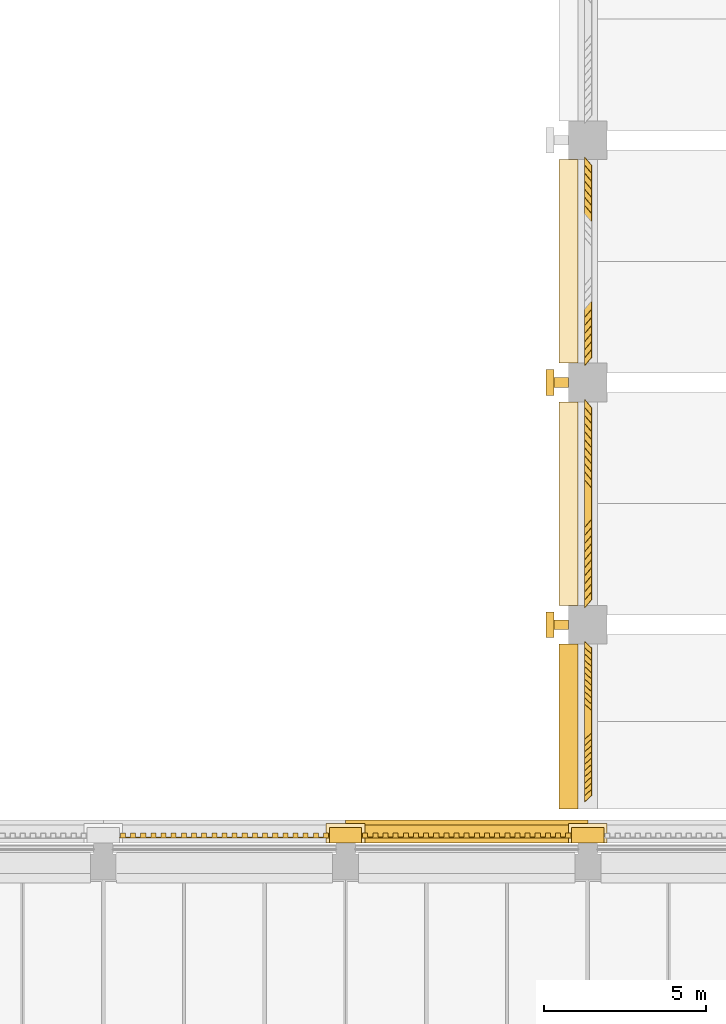
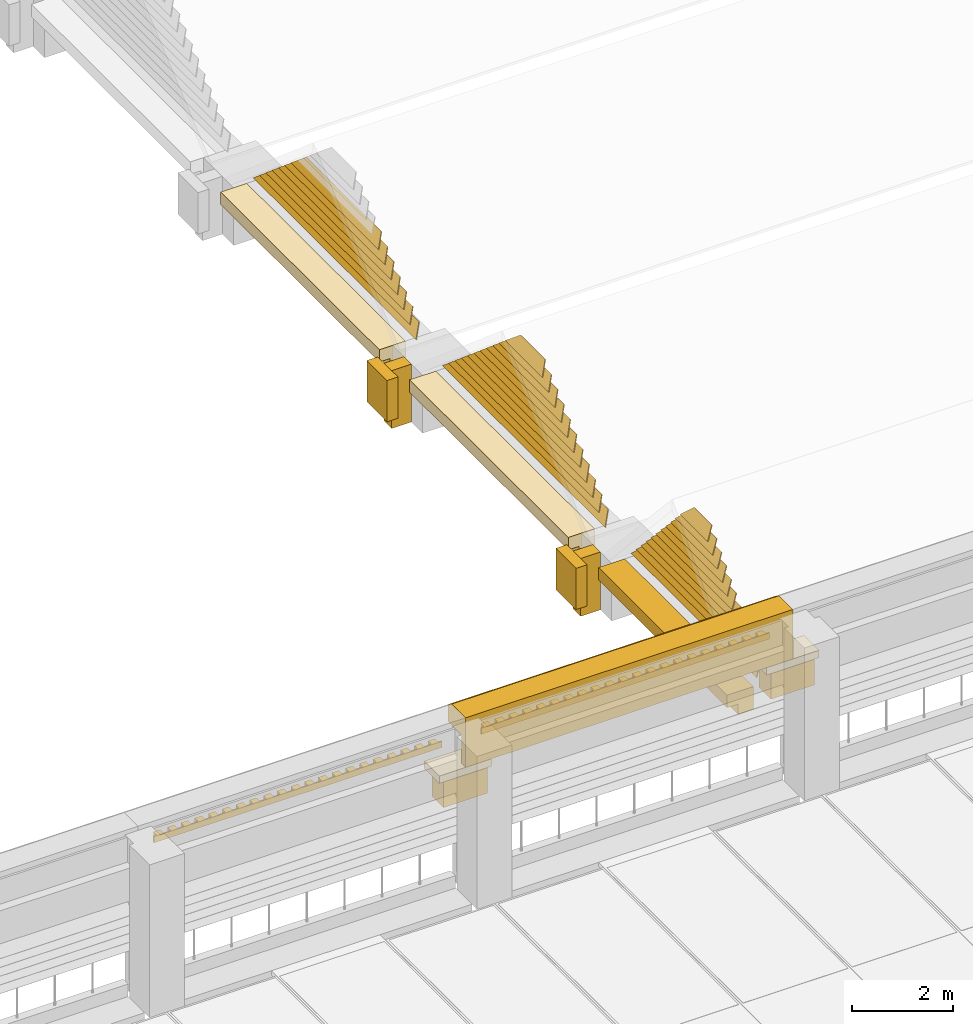
# One storey, part 50 of 71: 29 shading devices, 14 coverings.
"""IFC4 building model written with IfcOpenShell, lengths in metres."""

from ifc_helpers import new_model, si_unit, direction, frame, origin, place, context, subcontext, project, spatial, polyline, outline, extrude, material, layer, layer_set, type_object, element, save


model = new_model("IFC4")

# Units and contexts
model_context = context("Model", 3, precision=1e-05, world=origin(), true_north=direction((0.0, 1.0)))
body_context = subcontext(model_context, "Body", "Model", "MODEL_VIEW")
ifc_project = project(units=[si_unit("LENGTHUNIT", "METRE"), si_unit("AREAUNIT", "SQUARE_METRE"), si_unit("VOLUMEUNIT", "CUBIC_METRE"), si_unit("PLANEANGLEUNIT", "RADIAN"), si_unit("MASSUNIT", "GRAM", prefix="KILO")], contexts=[model_context])

# Site, building, storey
site_placement = place(None, origin())
site = spatial("IfcSite", under=ifc_project, at=site_placement, CompositionType="ELEMENT")
building_placement = place(site_placement, origin())
building = spatial("IfcBuilding", under=site, at=building_placement, Name="Cour d'Honneur Mobility Palace", CompositionType="ELEMENT")
storey_placement = place(building_placement, frame((0.0, 0.0, 15.60009765625)))
storey = spatial("IfcBuildingStorey", under=building, at=storey_placement, Name="L04", CompositionType="ELEMENT", Elevation=15.60009765625)

# Coverings
ifc_material_1 = material(Name="Cast limestone", Category="masonry")
ifc_layer_1 = layer(ifc_material_1, 0.14990234375)
ifc_layer_set_1 = layer_set([ifc_layer_1], Name="Cast limestone")
covering_type_1 = type_object("IfcCoveringType", Name="Dentil course", PredefinedType="CLADDING", material=ifc_layer_set_1)
covering_1_placement = place(storey_placement, frame((0.0, 0.0, 3.14990234375)))
element("IfcCovering", 1, at=covering_1_placement, inside=storey, type_object=covering_type_1, Name="Dentil course DC-106", PredefinedType="CLADDING", context=body_context, shape_type="SweptSolid", body=[
    extrude(outline(polyline([(61.949951171875, 63.300048828125), (55.35009765625, 63.300048828125), (55.35009765625, 63.330078125), (55.35009765625, 63.330078125), (55.428466796875, 63.330078125), (55.428466796875, 63.449951171875), (55.585693359375, 63.449951171875), (55.585693359375, 63.330078125), (55.664306640625, 63.330078125), (55.664306640625, 63.330078125), (55.742919921875, 63.330078125), (55.742919921875, 63.449951171875), (55.89990234375, 63.449951171875), (55.89990234375, 63.330078125), (55.978515625, 63.330078125), (55.978515625, 63.330078125), (56.05712890625, 63.330078125), (56.05712890625, 63.449951171875), (56.21435546875, 63.449951171875), (56.21435546875, 63.330078125), (56.29296875, 63.330078125), (56.29296875, 63.330078125), (56.371337890625, 63.330078125), (56.371337890625, 63.449951171875), (56.528564453125, 63.449951171875), (56.528564453125, 63.330078125), (56.607177734375, 63.330078125), (56.607177734375, 63.330078125), (56.685791015625, 63.330078125), (56.685791015625, 63.449951171875), (56.8427734375, 63.449951171875), (56.8427734375, 63.330078125), (56.92138671875, 63.330078125), (56.92138671875, 63.330078125), (57.0, 63.330078125), (57.0, 63.449951171875), (57.1572265625, 63.449951171875), (57.1572265625, 63.330078125), (57.235595703125, 63.330078125), (57.235595703125, 63.330078125), (57.314208984375, 63.330078125), (57.314208984375, 63.449951171875), (57.471435546875, 63.449951171875), (57.471435546875, 63.330078125), (57.550048828125, 63.330078125), (57.550048828125, 63.330078125), (57.628662109375, 63.330078125), (57.628662109375, 63.449951171875), (57.78564453125, 63.449951171875), (57.78564453125, 63.330078125), (57.8642578125, 63.330078125), (57.8642578125, 63.330078125), (57.94287109375, 63.330078125), (57.94287109375, 63.449951171875), (58.10009765625, 63.449951171875), (58.10009765625, 63.330078125), (58.178466796875, 63.330078125), (58.178466796875, 63.330078125), (58.257080078125, 63.330078125), (58.257080078125, 63.449951171875), (58.414306640625, 63.449951171875), (58.414306640625, 63.330078125), (58.492919921875, 63.330078125), (58.492919921875, 63.330078125), (58.571533203125, 63.330078125), (58.571533203125, 63.449951171875), (58.728515625, 63.449951171875), (58.728515625, 63.330078125), (58.80712890625, 63.330078125), (58.80712890625, 63.330078125), (58.8857421875, 63.330078125), (58.8857421875, 63.449951171875), (59.04296875, 63.449951171875), (59.04296875, 63.330078125), (59.121337890625, 63.330078125), (59.121337890625, 63.330078125), (59.199951171875, 63.330078125), (59.199951171875, 63.449951171875), (59.357177734375, 63.449951171875), (59.357177734375, 63.330078125), (59.435791015625, 63.330078125), (59.435791015625, 63.330078125), (59.514404296875, 63.330078125), (59.514404296875, 63.449951171875), (59.67138671875, 63.449951171875), (59.67138671875, 63.330078125), (59.75, 63.330078125), (59.75, 63.330078125), (59.82861328125, 63.330078125), (59.82861328125, 63.449951171875), (59.985595703125, 63.449951171875), (59.985595703125, 63.330078125), (60.064208984375, 63.330078125), (60.064208984375, 63.330078125), (60.142822265625, 63.330078125), (60.142822265625, 63.449951171875), (60.300048828125, 63.449951171875), (60.300048828125, 63.330078125), (60.378662109375, 63.330078125), (60.378662109375, 63.330078125), (60.45703125, 63.330078125), (60.45703125, 63.449951171875), (60.6142578125, 63.449951171875), (60.6142578125, 63.330078125), (60.69287109375, 63.330078125), (60.69287109375, 63.330078125), (60.771484375, 63.330078125), (60.771484375, 63.449951171875), (60.928466796875, 63.449951171875), (60.928466796875, 63.330078125), (61.007080078125, 63.330078125), (61.007080078125, 63.330078125), (61.085693359375, 63.330078125), (61.085693359375, 63.449951171875), (61.242919921875, 63.449951171875), (61.242919921875, 63.330078125), (61.321533203125, 63.330078125), (61.321533203125, 63.330078125), (61.39990234375, 63.330078125), (61.39990234375, 63.449951171875), (61.55712890625, 63.449951171875), (61.55712890625, 63.330078125), (61.6357421875, 63.330078125), (61.6357421875, 63.330078125), (61.71435546875, 63.330078125), (61.71435546875, 63.449951171875), (61.871337890625, 63.449951171875), (61.871337890625, 63.330078125), (61.949951171875, 63.330078125), (61.949951171875, 63.300048828125)])), origin(), (0.0, 0.0, 1.0), 0.14990234375),
])
covering_2_placement = place(storey_placement, frame((0.0, 0.0, 3.14990234375)))
element("IfcCovering", 2, at=covering_2_placement, inside=storey, type_object=covering_type_1, Name="Dentil course DC-107", PredefinedType="CLADDING", context=body_context, shape_type="SweptSolid", body=[
    extrude(outline(polyline([(54.449951171875, 63.300048828125), (47.85009765625, 63.300048828125), (47.85009765625, 63.330078125), (47.85009765625, 63.330078125), (47.928466796875, 63.330078125), (47.928466796875, 63.449951171875), (48.085693359375, 63.449951171875), (48.085693359375, 63.330078125), (48.164306640625, 63.330078125), (48.164306640625, 63.330078125), (48.242919921875, 63.330078125), (48.242919921875, 63.449951171875), (48.39990234375, 63.449951171875), (48.39990234375, 63.330078125), (48.478515625, 63.330078125), (48.478515625, 63.330078125), (48.55712890625, 63.330078125), (48.55712890625, 63.449951171875), (48.71435546875, 63.449951171875), (48.71435546875, 63.330078125), (48.79296875, 63.330078125), (48.79296875, 63.330078125), (48.871337890625, 63.330078125), (48.871337890625, 63.449951171875), (49.028564453125, 63.449951171875), (49.028564453125, 63.330078125), (49.107177734375, 63.330078125), (49.107177734375, 63.330078125), (49.185791015625, 63.330078125), (49.185791015625, 63.449951171875), (49.3427734375, 63.449951171875), (49.3427734375, 63.330078125), (49.42138671875, 63.330078125), (49.42138671875, 63.330078125), (49.5, 63.330078125), (49.5, 63.449951171875), (49.6572265625, 63.449951171875), (49.6572265625, 63.330078125), (49.735595703125, 63.330078125), (49.735595703125, 63.330078125), (49.814208984375, 63.330078125), (49.814208984375, 63.449951171875), (49.971435546875, 63.449951171875), (49.971435546875, 63.330078125), (50.050048828125, 63.330078125), (50.050048828125, 63.330078125), (50.128662109375, 63.330078125), (50.128662109375, 63.449951171875), (50.28564453125, 63.449951171875), (50.28564453125, 63.330078125), (50.3642578125, 63.330078125), (50.3642578125, 63.330078125), (50.44287109375, 63.330078125), (50.44287109375, 63.449951171875), (50.60009765625, 63.449951171875), (50.60009765625, 63.330078125), (50.678466796875, 63.330078125), (50.678466796875, 63.330078125), (50.757080078125, 63.330078125), (50.757080078125, 63.449951171875), (50.914306640625, 63.449951171875), (50.914306640625, 63.330078125), (50.992919921875, 63.330078125), (50.992919921875, 63.330078125), (51.071533203125, 63.330078125), (51.071533203125, 63.449951171875), (51.228515625, 63.449951171875), (51.228515625, 63.330078125), (51.30712890625, 63.330078125), (51.30712890625, 63.330078125), (51.3857421875, 63.330078125), (51.3857421875, 63.449951171875), (51.54296875, 63.449951171875), (51.54296875, 63.330078125), (51.621337890625, 63.330078125), (51.621337890625, 63.330078125), (51.699951171875, 63.330078125), (51.699951171875, 63.449951171875), (51.857177734375, 63.449951171875), (51.857177734375, 63.330078125), (51.935791015625, 63.330078125), (51.935791015625, 63.330078125), (52.014404296875, 63.330078125), (52.014404296875, 63.449951171875), (52.17138671875, 63.449951171875), (52.17138671875, 63.330078125), (52.25, 63.330078125), (52.25, 63.330078125), (52.32861328125, 63.330078125), (52.32861328125, 63.449951171875), (52.485595703125, 63.449951171875), (52.485595703125, 63.330078125), (52.564208984375, 63.330078125), (52.564208984375, 63.330078125), (52.642822265625, 63.330078125), (52.642822265625, 63.449951171875), (52.800048828125, 63.449951171875), (52.800048828125, 63.330078125), (52.878662109375, 63.330078125), (52.878662109375, 63.330078125), (52.95703125, 63.330078125), (52.95703125, 63.449951171875), (53.1142578125, 63.449951171875), (53.1142578125, 63.330078125), (53.19287109375, 63.330078125), (53.19287109375, 63.330078125), (53.271484375, 63.330078125), (53.271484375, 63.449951171875), (53.428466796875, 63.449951171875), (53.428466796875, 63.330078125), (53.507080078125, 63.330078125), (53.507080078125, 63.330078125), (53.585693359375, 63.330078125), (53.585693359375, 63.449951171875), (53.742919921875, 63.449951171875), (53.742919921875, 63.330078125), (53.821533203125, 63.330078125), (53.821533203125, 63.330078125), (53.89990234375, 63.330078125), (53.89990234375, 63.449951171875), (54.05712890625, 63.449951171875), (54.05712890625, 63.330078125), (54.1357421875, 63.330078125), (54.1357421875, 63.330078125), (54.21435546875, 63.330078125), (54.21435546875, 63.449951171875), (54.371337890625, 63.449951171875), (54.371337890625, 63.330078125), (54.449951171875, 63.330078125), (54.449951171875, 63.300048828125)])), origin(), (0.0, 0.0, 1.0), 0.14990234375),
])
ifc_material_2 = material(Name="Cast limestone", Category="masonry")
ifc_layer_2 = layer(ifc_material_2, 0.699951171875)
ifc_layer_set_2 = layer_set([ifc_layer_2], Name="Cast limestone")
covering_type_2 = type_object("IfcCoveringType", Name="Entablature", PredefinedType="CLADDING", material=ifc_layer_set_2)
covering_3_placement = place(storey_placement, frame((62.39990234375, 63.14990234375, 2.599853515625), z_axis=(1.0, 0.0, 0.0), x_axis=(0.0, 1.0, 0.0)))
element("IfcCovering", 3, at=covering_3_placement, inside=storey, type_object=covering_type_2, Name="Entablature EN-106", PredefinedType="CLADDING", context=body_context, shape_type="SweptSolid", body=[
    extrude(outline(polyline([(0.0, 0.0), (0.150146484375, 0.0), (0.150146484375, 0.699951171875), (0.7001953125, 0.699951171875), (0.7001953125, 1.10009765625), (0.550048828125, 1.199951171875), (0.0, 1.199951171875), (0.0, 0.0)])), origin(), (0.0, 0.0, -1.0), 7.5),
])
ifc_material_3 = material(Name="Cast limestone", Category="masonry")
ifc_layer_3 = layer(ifc_material_3, 0.39990234375)
ifc_layer_set_3 = layer_set([ifc_layer_3], Name="Cast limestone")
covering_type_3 = type_object("IfcCoveringType", Name="Hall eave cornice", PredefinedType="CLADDING", material=ifc_layer_set_3)
covering_4_placement = place(storey_placement, frame((62.10009765625, 64.199951171875, 1.39990234375), z_axis=(0.0, -1.0, 0.0), x_axis=(-1.0, 0.0, 0.0)))
element("IfcCovering", 4, at=covering_4_placement, inside=storey, type_object=covering_type_3, Name="Hall eave cornice EB-W1", PredefinedType="CLADDING", context=body_context, shape_type="SweptSolid", body=[
    extrude(outline(polyline([(0.0, 0.0), (0.60009765625, 0.0), (0.60009765625, 0.300048828125), (0.35009765625, 0.300048828125), (0.35009765625, 0.550048828125), (0.0, 0.550048828125), (0.0, 0.0)])), origin(), (0.0, 0.0, -1.0), 5.10009765625),
])
for number, where, z_axis, x_axis, name in (
    (5, (62.10009765625, 70.5, 1.39990234375), (0.0, -1.0, 0.0), (-1.0, 0.0, 0.0), "Hall eave cornice EB-W2"),
    (6, (62.10009765625, 78.0, 1.39990234375), (0.0, -1.0, 0.0), (-1.0, 0.0, 0.0), "Hall eave cornice EB-W3"),
):
    element("IfcCovering", number, at=place(storey_placement, frame(where, z_axis=z_axis, x_axis=x_axis)), inside=storey, type_object=covering_type_3, Name=name, PredefinedType="CLADDING", context=body_context, shape_type="SweptSolid", body=[
        extrude(outline(polyline([(0.0, 0.0), (0.60009765625, 0.0), (0.60009765625, 0.300048828125), (0.35009765625, 0.300048828125), (0.35009765625, 0.550048828125), (0.0, 0.550048828125), (0.0, 0.0)])), origin(), (0.0, 0.0, -1.0), 6.300048828125),
    ])
ifc_material_4 = material(Name="Cast limestone", Category="masonry")
ifc_layer_4 = layer(ifc_material_4, 0.300048828125)
ifc_layer_set_4 = layer_set([ifc_layer_4], Name="Cast limestone")
covering_type_4 = type_object("IfcCoveringType", Name="Pier fin", PredefinedType="CLADDING", material=ifc_layer_set_4)
covering_5_placement = place(storey_placement, origin())
element("IfcCovering", 7, at=covering_5_placement, inside=storey, type_object=covering_type_4, Name="Pier fin HP-W2 L04", PredefinedType="CLADDING", context=body_context, shape_type="SweptSolid", body=[
    extrude(outline(polyline([(61.35009765625, 69.75), (61.800048828125, 69.75), (61.800048828125, 70.050048828125), (61.35009765625, 70.050048828125), (61.35009765625, 69.75)])), origin(), (0.0, 0.0, 1.0), 1.39990234375),
])
covering_6_placement = place(storey_placement, origin())
element("IfcCovering", 8, at=covering_6_placement, inside=storey, type_object=covering_type_4, Name="Pier fin HP-W3 L04", PredefinedType="CLADDING", context=body_context, shape_type="SweptSolid", body=[
    extrude(outline(polyline([(61.35009765625, 77.25), (61.800048828125, 77.25), (61.800048828125, 77.550048828125), (61.35009765625, 77.550048828125), (61.35009765625, 77.25)])), origin(), (0.0, 0.0, 1.0), 1.39990234375),
])
ifc_material_5 = material(Name="Cast limestone", Category="masonry")
ifc_layer_5 = layer(ifc_material_5, 0.1201171875)
ifc_layer_set_5 = layer_set([ifc_layer_5], Name="Cast limestone")
covering_type_5 = type_object("IfcCoveringType", Name="Pilaster capital", PredefinedType="CLADDING", material=ifc_layer_set_5)
covering_7_placement = place(storey_placement, frame((0.0, 0.0, 1.7998046875)))
element("IfcCovering", 9, at=covering_7_placement, inside=storey, type_object=covering_type_5, Name="Pilaster capital PK-145", PredefinedType="CLADDING", context=body_context, shape_type="SweptSolid", body=[
    extrude(outline(polyline([(62.89990234375, 63.14990234375), (61.89990234375, 63.14990234375), (61.89990234375, 63.6201171875), (62.89990234375, 63.6201171875), (62.89990234375, 63.14990234375)])), origin(), (0.0, 0.0, 1.0), 0.6201171875),
])
covering_8_placement = place(storey_placement, frame((0.0, 0.0, 2.419921875)))
element("IfcCovering", 10, at=covering_8_placement, inside=storey, type_object=covering_type_5, Name="Pilaster capital PK-146", PredefinedType="CLADDING", context=body_context, shape_type="SweptSolid", body=[
    extrude(outline(polyline([(63.0, 63.14990234375), (61.800048828125, 63.14990234375), (61.800048828125, 63.75), (63.0, 63.75), (63.0, 63.14990234375)])), origin(), (0.0, 0.0, 1.0), 0.179931640625),
])
covering_9_placement = place(storey_placement, frame((0.0, 0.0, 1.7998046875)))
element("IfcCovering", 11, at=covering_9_placement, inside=storey, type_object=covering_type_5, Name="Pilaster capital PK-147", PredefinedType="CLADDING", context=body_context, shape_type="SweptSolid", body=[
    extrude(outline(polyline([(55.39990234375, 63.14990234375), (54.39990234375, 63.14990234375), (54.39990234375, 63.6201171875), (55.39990234375, 63.6201171875), (55.39990234375, 63.14990234375)])), origin(), (0.0, 0.0, 1.0), 0.6201171875),
])
covering_10_placement = place(storey_placement, frame((0.0, 0.0, 2.419921875)))
element("IfcCovering", 12, at=covering_10_placement, inside=storey, type_object=covering_type_5, Name="Pilaster capital PK-148", PredefinedType="CLADDING", context=body_context, shape_type="SweptSolid", body=[
    extrude(outline(polyline([(55.5, 63.14990234375), (54.300048828125, 63.14990234375), (54.300048828125, 63.75), (55.5, 63.75), (55.5, 63.14990234375)])), origin(), (0.0, 0.0, 1.0), 0.179931640625),
])
covering_11_placement = place(storey_placement, frame((0.0, 0.0, 0.39990234375)))
element("IfcCovering", 13, at=covering_11_placement, inside=storey, type_object=covering_type_5, Name="Hall pilaster capital HP-W2", PredefinedType="CLADDING", context=body_context, shape_type="SweptSolid", body=[
    extrude(outline(polyline([(61.10009765625, 69.5), (61.35009765625, 69.5), (61.35009765625, 70.300048828125), (61.10009765625, 70.300048828125), (61.10009765625, 69.5)])), origin(), (0.0, 0.0, 1.0), 1.0),
])
covering_12_placement = place(storey_placement, frame((0.0, 0.0, 0.39990234375)))
element("IfcCovering", 14, at=covering_12_placement, inside=storey, type_object=covering_type_5, Name="Hall pilaster capital HP-W3", PredefinedType="CLADDING", context=body_context, shape_type="SweptSolid", body=[
    extrude(outline(polyline([(61.10009765625, 77.0), (61.35009765625, 77.0), (61.35009765625, 77.800048828125), (61.10009765625, 77.800048828125), (61.10009765625, 77.0)])), origin(), (0.0, 0.0, 1.0), 1.0),
])

# Shading devices
ifc_material_6 = material(Name="Terracotta", Category="masonry")
ifc_layer_6 = layer(ifc_material_6, 0.02490234375)
ifc_layer_set_6 = layer_set([ifc_layer_6], Name="Terracotta")
shading_device_type = type_object("IfcShadingDeviceType", Name="Terracotta louvre blade", PredefinedType="JALOUSIE", material=ifc_layer_set_6)
shading_device_1_placement = place(storey_placement, frame((62.2939453125, 64.416259765625, 1.41748046875), z_axis=(-0.707106781187, 0.0, 0.707106781187), x_axis=(0.0, 1.0, 0.0)))
element("IfcShadingDevice", 15, at=shading_device_1_placement, inside=storey, type_object=shading_device_type, Name="Gable louvre blade LV-3 W1 1", PredefinedType="JALOUSIE", context=body_context, shape_type="SweptSolid", body=[
    extrude(outline(polyline([(0.0, 0.0), (4.967529296875, 0.0), (4.7734375, -0.300037008228081), (0.19384765625, -0.300037008228081), (0.0, 0.0)])), origin(), (0.0, 0.0, -1.0), 0.02490234375),
])
shading_device_2_placement = place(storey_placement, frame((62.2939453125, 64.610107421875, 1.629638671875), z_axis=(-0.707106781187, 0.0, 0.707106781187), x_axis=(0.0, 1.0, 0.0)))
element("IfcShadingDevice", 16, at=shading_device_2_placement, inside=storey, type_object=shading_device_type, Name="Gable louvre blade LV-3 W1 2", PredefinedType="JALOUSIE", context=body_context, shape_type="SweptSolid", body=[
    extrude(outline(polyline([(0.0, 0.0), (4.57958984375, 0.0), (4.3857421875, -0.30003700822808094), (0.194091796875, -0.30003700822808094), (0.0, 0.0)])), origin(), (0.0, 0.0, -1.0), 0.02490234375),
])
shading_device_3_placement = place(storey_placement, frame((62.2939453125, 64.80419921875, 1.841796875), z_axis=(-0.707106781187, 0.0, 0.707106781187), x_axis=(0.0, 1.0, 0.0)))
element("IfcShadingDevice", 17, at=shading_device_3_placement, inside=storey, type_object=shading_device_type, Name="Gable louvre blade LV-3 W1 3", PredefinedType="JALOUSIE", context=body_context, shape_type="SweptSolid", body=[
    extrude(outline(polyline([(0.0, 0.0), (4.191650390625, 0.0), (3.99755859375, -0.300037008228081), (0.194091796875, -0.300037008228081), (0.0, 0.0)])), origin(), (0.0, 0.0, -1.0), 0.02490234375),
])
shading_device_4_placement = place(storey_placement, frame((62.2939453125, 64.998291015625, 2.053955078125), z_axis=(-0.707106781187, 0.0, 0.707106781187), x_axis=(0.0, 1.0, 0.0)))
element("IfcShadingDevice", 18, at=shading_device_4_placement, inside=storey, type_object=shading_device_type, Name="Gable louvre blade LV-3 W1 4", PredefinedType="JALOUSIE", context=body_context, shape_type="SweptSolid", body=[
    extrude(outline(polyline([(0.0, 0.0), (3.803466796875, 0.0), (3.609375, -0.30003700822808094), (0.194091796875, -0.30003700822808094), (0.0, 0.0)])), origin(), (0.0, 0.0, -1.0), 0.02490234375),
])
shading_device_5_placement = place(storey_placement, frame((62.2939453125, 65.1923828125, 2.26611328125), z_axis=(-0.707106781187, 0.0, 0.707106781187), x_axis=(0.0, 1.0, 0.0)))
element("IfcShadingDevice", 19, at=shading_device_5_placement, inside=storey, type_object=shading_device_type, Name="Gable louvre blade LV-3 W1 5", PredefinedType="JALOUSIE", context=body_context, shape_type="SweptSolid", body=[
    extrude(outline(polyline([(0.0, 0.0), (3.415283203125, 0.0), (3.221435546875, -0.30003700822808094), (0.19384765625, -0.30003700822808094), (0.0, 0.0)])), origin(), (0.0, 0.0, -1.0), 0.02490234375),
])
shading_device_6_placement = place(storey_placement, frame((62.2939453125, 65.38623046875, 2.478271484375), z_axis=(-0.707106781187, 0.0, 0.707106781187), x_axis=(0.0, 1.0, 0.0)))
element("IfcShadingDevice", 20, at=shading_device_6_placement, inside=storey, type_object=shading_device_type, Name="Gable louvre blade LV-3 W1 6", PredefinedType="JALOUSIE", context=body_context, shape_type="SweptSolid", body=[
    extrude(outline(polyline([(0.0, 0.0), (3.027587890625, 0.0), (2.83349609375, -0.30003700822808094), (0.194091796875, -0.30003700822808094), (0.0, 0.0)])), origin(), (0.0, 0.0, -1.0), 0.02490234375),
])
shading_device_7_placement = place(storey_placement, frame((62.2939453125, 65.580322265625, 2.6904296875), z_axis=(-0.707106781187, 0.0, 0.707106781187), x_axis=(0.0, 1.0, 0.0)))
element("IfcShadingDevice", 21, at=shading_device_7_placement, inside=storey, type_object=shading_device_type, Name="Gable louvre blade LV-3 W1 7", PredefinedType="JALOUSIE", context=body_context, shape_type="SweptSolid", body=[
    extrude(outline(polyline([(0.0, 0.0), (2.639404296875, 0.0), (2.4453125, -0.30003700822808094), (0.194091796875, -0.30003700822808094), (0.0, 0.0)])), origin(), (0.0, 0.0, -1.0), 0.02490234375),
])
shading_device_8_placement = place(storey_placement, frame((62.2939453125, 65.7744140625, 2.902587890625), z_axis=(-0.706699578995, 0.0, 0.707513749017), x_axis=(0.0, 1.0, 0.0)))
element("IfcShadingDevice", 22, at=shading_device_8_placement, inside=storey, type_object=shading_device_type, Name="Gable louvre blade LV-3 W1 8", PredefinedType="JALOUSIE", context=body_context, shape_type="SweptSolid", body=[
    extrude(outline(polyline([(0.0, 0.0), (2.251220703125, 0.0), (2.05712890625, -0.29986442442957895), (0.194091796875, -0.29986442442957895), (0.0, 0.0)])), origin(), (0.0, 0.0, -1.0), 0.02490234375),
])
shading_device_9_placement = place(storey_placement, frame((62.2939453125, 65.968505859375, 3.114501953125), z_axis=(-0.707513281104, 0.0, 0.706700047447), x_axis=(0.0, 1.0, 0.0)))
element("IfcShadingDevice", 23, at=shading_device_9_placement, inside=storey, type_object=shading_device_type, Name="Gable louvre blade LV-3 W1 9", PredefinedType="JALOUSIE", context=body_context, shape_type="SweptSolid", body=[
    extrude(outline(polyline([(0.0, 0.0), (1.863037109375, 0.0), (1.669189453125, -0.30020969135542896), (0.19384765625, -0.30020969135542896), (0.0, 0.0)])), origin(), (0.0, 0.0, -1.0), 0.02490234375),
])
shading_device_10_placement = place(storey_placement, frame((62.2939453125, 66.162353515625, 3.326904296875), z_axis=(-0.706699578995, 0.0, 0.707513749017), x_axis=(0.0, 1.0, 0.0)))
element("IfcShadingDevice", 24, at=shading_device_10_placement, inside=storey, type_object=shading_device_type, Name="Gable louvre blade LV-3 W1 10", PredefinedType="JALOUSIE", context=body_context, shape_type="SweptSolid", body=[
    extrude(outline(polyline([(0.0, 0.0), (1.475341796875, 0.0), (1.28125, -0.29986442442957895), (0.194091796875, -0.29986442442957895), (0.0, 0.0)])), origin(), (0.0, 0.0, -1.0), 0.02490234375),
])
shading_device_11_placement = place(storey_placement, frame((62.2939453125, 66.3564453125, 3.538818359375), z_axis=(-0.707106781187, 0.0, 0.707106781187), x_axis=(0.0, 1.0, 0.0)))
element("IfcShadingDevice", 25, at=shading_device_11_placement, inside=storey, type_object=shading_device_type, Name="Gable louvre blade LV-3 W1 11", PredefinedType="JALOUSIE", context=body_context, shape_type="SweptSolid", body=[
    extrude(outline(polyline([(0.0, 0.0), (1.087158203125, 0.0), (0.89306640625, -0.300037008228081), (0.194091796875, -0.300037008228081), (0.0, 0.0)])), origin(), (0.0, 0.0, -1.0), 0.02490234375),
])
shading_device_12_placement = place(storey_placement, frame((62.2939453125, 70.4208984375, 1.41748046875), z_axis=(-0.707106781187, 0.0, 0.707106781187), x_axis=(0.0, 1.0, 0.0)))
element("IfcShadingDevice", 26, at=shading_device_12_placement, inside=storey, type_object=shading_device_type, Name="Gable louvre blade LV-3 W2 1", PredefinedType="JALOUSIE", context=body_context, shape_type="SweptSolid", body=[
    extrude(outline(polyline([(0.0, 0.0), (6.458251953125, 0.0), (6.208984375, -0.300037008228081), (0.249267578125, -0.300037008228081), (0.0, 0.0)])), origin(), (0.0, 0.0, -1.0), 0.02490234375),
])
shading_device_13_placement = place(storey_placement, frame((62.2939453125, 70.670166015625, 1.629638671875), z_axis=(-0.707106781187, 0.0, 0.707106781187), x_axis=(0.0, 1.0, 0.0)))
element("IfcShadingDevice", 27, at=shading_device_13_placement, inside=storey, type_object=shading_device_type, Name="Gable louvre blade LV-3 W2 2", PredefinedType="JALOUSIE", context=body_context, shape_type="SweptSolid", body=[
    extrude(outline(polyline([(0.0, 0.0), (5.959716796875, 0.0), (5.710205078125, -0.30003700822808094), (0.24951171875, -0.30003700822808094), (0.0, 0.0)])), origin(), (0.0, 0.0, -1.0), 0.02490234375),
])
shading_device_14_placement = place(storey_placement, frame((62.2939453125, 70.919677734375, 1.841796875), z_axis=(-0.707106781187, 0.0, 0.707106781187), x_axis=(0.0, 1.0, 0.0)))
element("IfcShadingDevice", 28, at=shading_device_14_placement, inside=storey, type_object=shading_device_type, Name="Gable louvre blade LV-3 W2 3", PredefinedType="JALOUSIE", context=body_context, shape_type="SweptSolid", body=[
    extrude(outline(polyline([(0.0, 0.0), (5.460693359375, 0.0), (5.211181640625, -0.300037008228081), (0.24951171875, -0.300037008228081), (0.0, 0.0)])), origin(), (0.0, 0.0, -1.0), 0.02490234375),
])
shading_device_15_placement = place(storey_placement, frame((62.2939453125, 71.169189453125, 2.053955078125), z_axis=(-0.707106781187, 0.0, 0.707106781187), x_axis=(0.0, 1.0, 0.0)))
element("IfcShadingDevice", 29, at=shading_device_15_placement, inside=storey, type_object=shading_device_type, Name="Gable louvre blade LV-3 W2 4", PredefinedType="JALOUSIE", context=body_context, shape_type="SweptSolid", body=[
    extrude(outline(polyline([(0.0, 0.0), (4.961669921875, 0.0), (4.712158203125, -0.300037008228081), (0.24951171875, -0.300037008228081), (0.0, 0.0)])), origin(), (0.0, 0.0, -1.0), 0.02490234375),
])
shading_device_16_placement = place(storey_placement, frame((62.2939453125, 71.418701171875, 2.26611328125), z_axis=(-0.707106781187, 0.0, 0.707106781187), x_axis=(0.0, 1.0, 0.0)))
element("IfcShadingDevice", 30, at=shading_device_16_placement, inside=storey, type_object=shading_device_type, Name="Gable louvre blade LV-3 W2 5", PredefinedType="JALOUSIE", context=body_context, shape_type="SweptSolid", body=[
    extrude(outline(polyline([(0.0, 0.0), (4.462646484375, 0.0), (4.213134765625, -0.30003700822808094), (0.24951171875, -0.30003700822808094), (0.0, 0.0)])), origin(), (0.0, 0.0, -1.0), 0.02490234375),
])
shading_device_17_placement = place(storey_placement, frame((62.2939453125, 71.668212890625, 2.478271484375), z_axis=(-0.707106781187, 0.0, 0.707106781187), x_axis=(0.0, 1.0, 0.0)))
element("IfcShadingDevice", 31, at=shading_device_17_placement, inside=storey, type_object=shading_device_type, Name="Gable louvre blade LV-3 W2 6", PredefinedType="JALOUSIE", context=body_context, shape_type="SweptSolid", body=[
    extrude(outline(polyline([(0.0, 0.0), (3.963623046875, 0.0), (3.71435546875, -0.300037008228081), (0.249267578125, -0.300037008228081), (0.0, 0.0)])), origin(), (0.0, 0.0, -1.0), 0.02490234375),
])
shading_device_18_placement = place(storey_placement, frame((62.2939453125, 71.91748046875, 2.6904296875), z_axis=(-0.707106781187, 0.0, 0.707106781187), x_axis=(0.0, 1.0, 0.0)))
element("IfcShadingDevice", 32, at=shading_device_18_placement, inside=storey, type_object=shading_device_type, Name="Gable louvre blade LV-3 W2 7", PredefinedType="JALOUSIE", context=body_context, shape_type="SweptSolid", body=[
    extrude(outline(polyline([(0.0, 0.0), (3.465087890625, 0.0), (3.215576171875, -0.30003700822808094), (0.24951171875, -0.30003700822808094), (0.0, 0.0)])), origin(), (0.0, 0.0, -1.0), 0.02490234375),
])
shading_device_19_placement = place(storey_placement, frame((62.2939453125, 72.1669921875, 2.902587890625), z_axis=(-0.706699578995, 0.0, 0.707513749017), x_axis=(0.0, 1.0, 0.0)))
element("IfcShadingDevice", 33, at=shading_device_19_placement, inside=storey, type_object=shading_device_type, Name="Gable louvre blade LV-3 W2 8", PredefinedType="JALOUSIE", context=body_context, shape_type="SweptSolid", body=[
    extrude(outline(polyline([(0.0, 0.0), (2.966064453125, 0.0), (2.716552734375, -0.29986442442957895), (0.24951171875, -0.29986442442957895), (0.0, 0.0)])), origin(), (0.0, 0.0, -1.0), 0.02490234375),
])
shading_device_20_placement = place(storey_placement, frame((62.2939453125, 72.41650390625, 3.114501953125), z_axis=(-0.707513281104, 0.0, 0.706700047447), x_axis=(0.0, 1.0, 0.0)))
element("IfcShadingDevice", 34, at=shading_device_20_placement, inside=storey, type_object=shading_device_type, Name="Gable louvre blade LV-3 W2 9", PredefinedType="JALOUSIE", context=body_context, shape_type="SweptSolid", body=[
    extrude(outline(polyline([(0.0, 0.0), (2.467041015625, 0.0), (2.217529296875, -0.30020969135542896), (0.24951171875, -0.30020969135542896), (0.0, 0.0)])), origin(), (0.0, 0.0, -1.0), 0.02490234375),
])
shading_device_21_placement = place(storey_placement, frame((62.2939453125, 72.666015625, 3.326904296875), z_axis=(-0.706699578995, 0.0, 0.707513749017), x_axis=(0.0, 1.0, 0.0)))
element("IfcShadingDevice", 35, at=shading_device_21_placement, inside=storey, type_object=shading_device_type, Name="Gable louvre blade LV-3 W2 10", PredefinedType="JALOUSIE", context=body_context, shape_type="SweptSolid", body=[
    extrude(outline(polyline([(0.0, 0.0), (1.968017578125, 0.0), (1.718505859375, -0.29986442442957895), (0.249267578125, -0.29986442442957895), (0.0, 0.0)])), origin(), (0.0, 0.0, -1.0), 0.02490234375),
])
shading_device_22_placement = place(storey_placement, frame((62.2939453125, 72.915283203125, 3.538818359375), z_axis=(-0.707106781187, 0.0, 0.707106781187), x_axis=(0.0, 1.0, 0.0)))
element("IfcShadingDevice", 36, at=shading_device_22_placement, inside=storey, type_object=shading_device_type, Name="Gable louvre blade LV-3 W2 11", PredefinedType="JALOUSIE", context=body_context, shape_type="SweptSolid", body=[
    extrude(outline(polyline([(0.0, 0.0), (1.46923828125, 0.0), (1.219970703125, -0.300037008228081), (0.24951171875, -0.300037008228081), (0.0, 0.0)])), origin(), (0.0, 0.0, -1.0), 0.02490234375),
])
shading_device_23_placement = place(storey_placement, frame((62.2939453125, 77.9208984375, 1.41748046875), z_axis=(-0.707106781187, 0.0, 0.707106781187), x_axis=(0.0, 1.0, 0.0)))
element("IfcShadingDevice", 37, at=shading_device_23_placement, inside=storey, type_object=shading_device_type, Name="Gable louvre blade LV-3 W3 1", PredefinedType="JALOUSIE", context=body_context, shape_type="SweptSolid", body=[
    extrude(outline(polyline([(0.0, 0.0), (6.458251953125, 0.0), (6.208984375, -0.300037008228081), (0.249267578125, -0.300037008228081), (0.0, 0.0)])), origin(), (0.0, 0.0, -1.0), 0.02490234375),
])
shading_device_24_placement = place(storey_placement, frame((62.2939453125, 78.170166015625, 1.629638671875), z_axis=(-0.707106781187, 0.0, 0.707106781187), x_axis=(0.0, 1.0, 0.0)))
element("IfcShadingDevice", 38, at=shading_device_24_placement, inside=storey, type_object=shading_device_type, Name="Gable louvre blade LV-3 W3 2", PredefinedType="JALOUSIE", context=body_context, shape_type="SweptSolid", body=[
    extrude(outline(polyline([(0.0, 0.0), (5.959716796875, 0.0), (5.710205078125, -0.30003700822808094), (0.24951171875, -0.30003700822808094), (0.0, 0.0)])), origin(), (0.0, 0.0, -1.0), 0.02490234375),
])
shading_device_25_placement = place(storey_placement, frame((62.2939453125, 78.419677734375, 1.841796875), z_axis=(-0.707106781187, 0.0, 0.707106781187), x_axis=(0.0, 1.0, 0.0)))
element("IfcShadingDevice", 39, at=shading_device_25_placement, inside=storey, type_object=shading_device_type, Name="Gable louvre blade LV-3 W3 3", PredefinedType="JALOUSIE", context=body_context, shape_type="SweptSolid", body=[
    extrude(outline(polyline([(0.0, 0.0), (5.460693359375, 0.0), (5.211181640625, -0.300037008228081), (0.24951171875, -0.300037008228081), (0.0, 0.0)])), origin(), (0.0, 0.0, -1.0), 0.02490234375),
])
shading_device_26_placement = place(storey_placement, frame((62.2939453125, 78.669189453125, 2.053955078125), z_axis=(-0.707106781187, 0.0, 0.707106781187), x_axis=(0.0, 1.0, 0.0)))
element("IfcShadingDevice", 40, at=shading_device_26_placement, inside=storey, type_object=shading_device_type, Name="Gable louvre blade LV-3 W3 4", PredefinedType="JALOUSIE", context=body_context, shape_type="SweptSolid", body=[
    extrude(outline(polyline([(0.0, 0.0), (4.961669921875, 0.0), (4.712158203125, -0.300037008228081), (0.24951171875, -0.300037008228081), (0.0, 0.0)])), origin(), (0.0, 0.0, -1.0), 0.02490234375),
])
shading_device_27_placement = place(storey_placement, frame((62.2939453125, 78.918701171875, 2.26611328125), z_axis=(-0.707106781187, 0.0, 0.707106781187), x_axis=(0.0, 1.0, 0.0)))
element("IfcShadingDevice", 41, at=shading_device_27_placement, inside=storey, type_object=shading_device_type, Name="Gable louvre blade LV-3 W3 5", PredefinedType="JALOUSIE", context=body_context, shape_type="SweptSolid", body=[
    extrude(outline(polyline([(0.0, 0.0), (4.462646484375, 0.0), (4.213134765625, -0.30003700822808094), (0.24951171875, -0.30003700822808094), (0.0, 0.0)])), origin(), (0.0, 0.0, -1.0), 0.02490234375),
])
shading_device_28_placement = place(storey_placement, frame((62.2939453125, 79.168212890625, 2.478271484375), z_axis=(-0.707106781187, 0.0, 0.707106781187), x_axis=(0.0, 1.0, 0.0)))
element("IfcShadingDevice", 42, at=shading_device_28_placement, inside=storey, type_object=shading_device_type, Name="Gable louvre blade LV-3 W3 6", PredefinedType="JALOUSIE", context=body_context, shape_type="SweptSolid", body=[
    extrude(outline(polyline([(0.0, 0.0), (3.963623046875, 0.0), (3.71435546875, -0.300037008228081), (0.249267578125, -0.300037008228081), (0.0, 0.0)])), origin(), (0.0, 0.0, -1.0), 0.02490234375),
])
shading_device_29_placement = place(storey_placement, frame((62.2939453125, 79.41748046875, 2.6904296875), z_axis=(-0.707106781187, 0.0, 0.707106781187), x_axis=(0.0, 1.0, 0.0)))
element("IfcShadingDevice", 43, at=shading_device_29_placement, inside=storey, type_object=shading_device_type, Name="Gable louvre blade LV-3 W3 7", PredefinedType="JALOUSIE", context=body_context, shape_type="SweptSolid", body=[
    extrude(outline(polyline([(0.0, 0.0), (3.465087890625, 0.0), (3.215576171875, -0.30003700822808094), (0.24951171875, -0.30003700822808094), (0.0, 0.0)])), origin(), (0.0, 0.0, -1.0), 0.02490234375),
])

save(model, "model.ifc")
